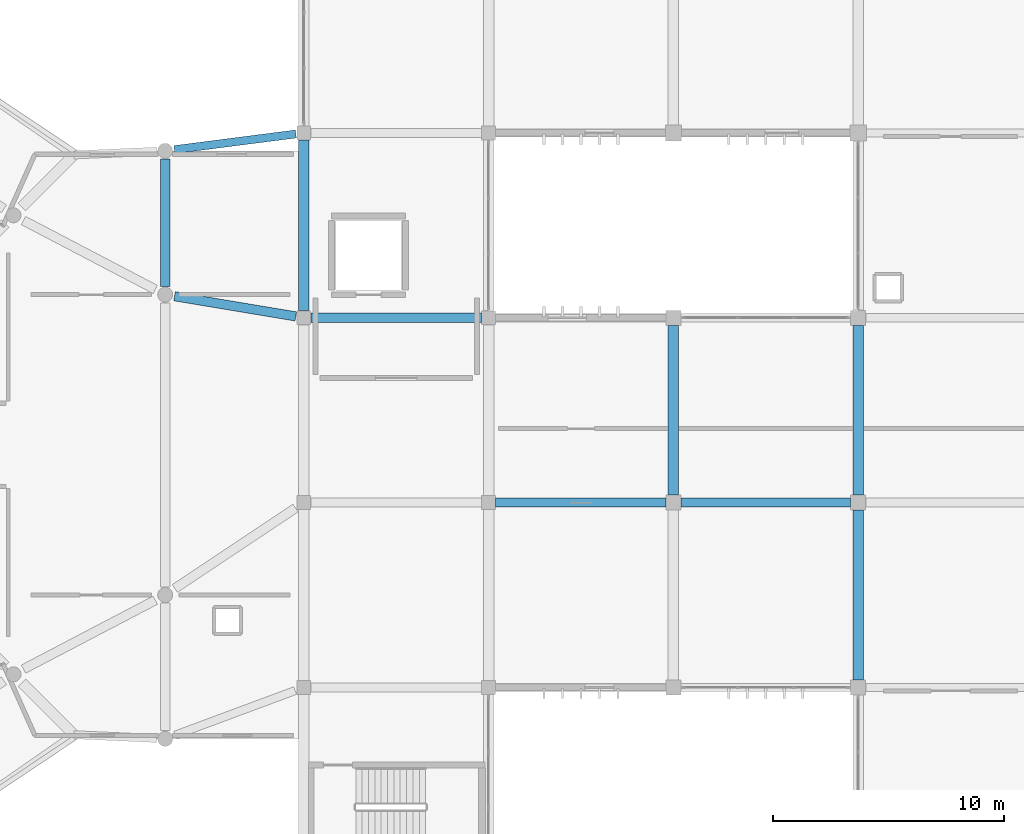
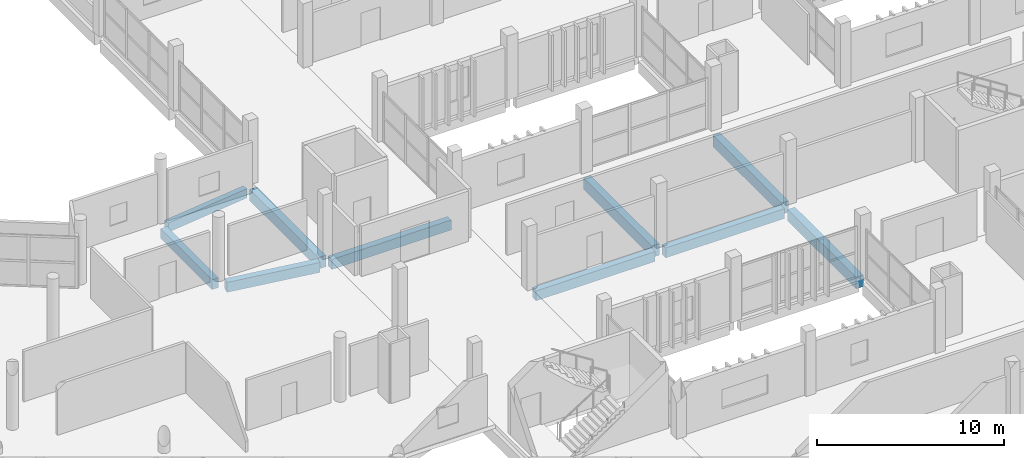
# One storey, part 20 of 137: 10 beams.
"""IFC4 building model written with IfcOpenShell, lengths in metres."""

from ifc_helpers import new_model, si_unit, direction, frame, origin, origin_2d, place, context, subcontext, project, spatial, rectangle, extrude, material, material_profile, profile_set, type_object, element, save


model = new_model("IFC4")

# Units and contexts
model_context = context("Model", 3, precision=1e-05, world=origin(), true_north=direction((0.0, 1.0)))
body_context = subcontext(model_context, "Body", "Model", "MODEL_VIEW")
ifc_project = project(units=[si_unit("LENGTHUNIT", "METRE"), si_unit("AREAUNIT", "SQUARE_METRE"), si_unit("VOLUMEUNIT", "CUBIC_METRE"), si_unit("PLANEANGLEUNIT", "RADIAN"), si_unit("MASSUNIT", "GRAM", prefix="KILO")], contexts=[model_context])

# Site, building, storey
site_placement = place(None, origin())
site = spatial("IfcSite", under=ifc_project, at=site_placement, CompositionType="ELEMENT")
building_placement = place(site_placement, origin())
building = spatial("IfcBuilding", under=site, at=building_placement, Name="Jelvoka-Kovrelna Polytechnic", CompositionType="ELEMENT")
storey_placement = place(building_placement, frame((0.0, 0.0, 9.60009765625)))
storey = spatial("IfcBuildingStorey", under=building, at=storey_placement, Name="L03", CompositionType="ELEMENT", Elevation=9.60009765625)

# Beams
ifc_material_1 = material(Name="Concrete C40/50", Category="concrete")
ifc_material_profile_1 = material_profile(ifc_material_1, rectangle(XDim=0.39990234375, YDim=0.64990234375, at=origin_2d()), Name="RC 400x650")
ifc_profile_set_1 = profile_set([ifc_material_profile_1], Name="Concrete C40/50")
beam_type_1 = type_object("IfcBeamType", Name="Beam_RC_400x650", PredefinedType="BEAM", material=ifc_profile_set_1)
beam_1_placement = place(storey_placement, frame((56.304931640625, 40.0, -0.590087890625), z_axis=(1.0, 0.0, 0.0), x_axis=(0.0, 1.0, 0.0)))
element("IfcBeam", 1, at=beam_1_placement, inside=storey, type_object=beam_type_1, Name="L03 beam 0934", PredefinedType="BEAM", context=body_context, shape_type="SweptSolid", body=[
    extrude(rectangle(XDim=0.39990234375, YDim=0.64990234375, at=origin_2d()), origin(), (0.0, 0.0, 1.0), 7.364990234375),
])
beam_2_placement = place(storey_placement, frame((64.330078125, 40.0, -0.590087890625), z_axis=(1.0, 0.0, 0.0), x_axis=(0.0, 1.0, 0.0)))
element("IfcBeam", 2, at=beam_2_placement, inside=storey, type_object=beam_type_1, Name="L03 beam 0935", PredefinedType="BEAM", context=body_context, shape_type="SweptSolid", body=[
    extrude(rectangle(XDim=0.39990234375, YDim=0.64990234375, at=origin_2d()), origin(), (0.0, 0.0, 1.0), 7.33984375),
])
beam_3_placement = place(storey_placement, frame((48.304931640625, 48.0, -0.590087890625), z_axis=(1.0, 0.0, 0.0), x_axis=(0.0, 1.0, 0.0)))
element("IfcBeam", 3, at=beam_3_placement, inside=storey, type_object=beam_type_1, Name="L03 beam 1092", PredefinedType="BEAM", context=body_context, shape_type="SweptSolid", body=[
    extrude(rectangle(XDim=0.39990234375, YDim=0.64990234375, at=origin_2d()), origin(), (0.0, 0.0, 1.0), 7.39013671875),
])
beam_4_placement = place(storey_placement, frame((42.406005859375, 48.932373046875, -0.5751953125), z_axis=(0.986390200748, -0.164421324251, 0.0), x_axis=(0.164421324251, 0.986390200748, 0.0)))
element("IfcBeam", 4, at=beam_4_placement, inside=storey, type_object=beam_type_1, Name="L03 beam 2526", PredefinedType="BEAM", context=body_context, shape_type="SweptSolid", body=[
    extrude(rectangle(XDim=0.39990234375, YDim=0.64990234375, at=origin_2d()), origin(), (0.0, 0.0, 1.0), 5.317138671875),
])
beam_5_placement = place(storey_placement, frame((42.0, 49.35498046875, -0.5751953125), z_axis=(0.0, 1.0, 0.0), x_axis=(-1.0, 0.0, 0.0)))
element("IfcBeam", 5, at=beam_5_placement, inside=storey, type_object=beam_type_1, Name="L03 beam 2531", PredefinedType="BEAM", context=body_context, shape_type="SweptSolid", body=[
    extrude(rectangle(XDim=0.39990234375, YDim=0.64990234375, at=origin_2d()), origin(), (0.0, 0.0, 1.0), 5.517822265625),
])
ifc_material_2 = material(Name="Concrete C40/50", Category="concrete")
ifc_material_profile_2 = material_profile(ifc_material_2, rectangle(XDim=0.449951171875, YDim=0.75, at=origin_2d()), Name="RC 450x750")
ifc_profile_set_2 = profile_set([ifc_material_profile_2], Name="Concrete C40/50")
beam_type_2 = type_object("IfcBeamType", Name="Beam_RC_450x750", PredefinedType="BEAM", material=ifc_profile_set_2)
for number, where, z_axis, x_axis, name in (
    (6, (64.0, 40.330078125, -0.64013671875), (0.0, 1.0, 0.0), (-1.0, 0.0, 0.0), "L03 beam 0950"),
    (7, (72.0, 32.330078125, -0.64013671875), (0.0, 1.0, 0.0), (-1.0, 0.0, 0.0), "L03 beam 0951"),
    (8, (72.0, 40.330078125, -0.64013671875), (0.0, 1.0, 0.0), (-1.0, 0.0, 0.0), "L03 beam 0952"),
):
    element("IfcBeam", number, at=place(storey_placement, frame(where, z_axis=z_axis, x_axis=x_axis)), inside=storey, type_object=beam_type_2, Name=name, PredefinedType="BEAM", context=body_context, shape_type="SweptSolid", body=[
        extrude(rectangle(XDim=0.449951171875, YDim=0.75, at=origin_2d()), origin(), (0.0, 0.0, 1.0), 7.33984375),
    ])
beam_6_placement = place(storey_placement, frame((48.0, 48.304931640625, -0.64013671875), z_axis=(0.0, 1.0, 0.0), x_axis=(-1.0, 0.0, 0.0)))
element("IfcBeam", 9, at=beam_6_placement, inside=storey, type_object=beam_type_2, Name="L03 beam 1099", PredefinedType="BEAM", context=body_context, shape_type="SweptSolid", body=[
    extrude(rectangle(XDim=0.449951171875, YDim=0.75, at=origin_2d()), origin(), (0.0, 0.0, 1.0), 7.39013671875),
])
ifc_material_3 = material(Name="Concrete C40/50", Category="concrete")
ifc_material_profile_3 = material_profile(ifc_material_3, rectangle(XDim=0.35009765625, YDim=0.60009765625, at=origin_2d()), Name="RC 350x600")
ifc_profile_set_3 = profile_set([ifc_material_profile_3], Name="Concrete C40/50")
beam_type_3 = type_object("IfcBeamType", Name="Spandrel_RC_350x600", PredefinedType="SPANDREL", material=ifc_profile_set_3)
beam_7_placement = place(storey_placement, frame((42.396484375, 55.27880859375, -0.550048828125), z_axis=(0.991820387159, 0.127641371096, 0.0), x_axis=(-0.127641371096, 0.991820387159, 0.0)))
element("IfcBeam", 10, at=beam_7_placement, inside=storey, type_object=beam_type_3, Name="L03 beam 2522", PredefinedType="SPANDREL", context=body_context, shape_type="SweptSolid", body=[
    extrude(rectangle(XDim=0.35009765625, YDim=0.60009765625, at=origin_2d()), origin(), (0.0, 0.0, 1.0), 5.305908203125),
])

save(model, "model.ifc")
